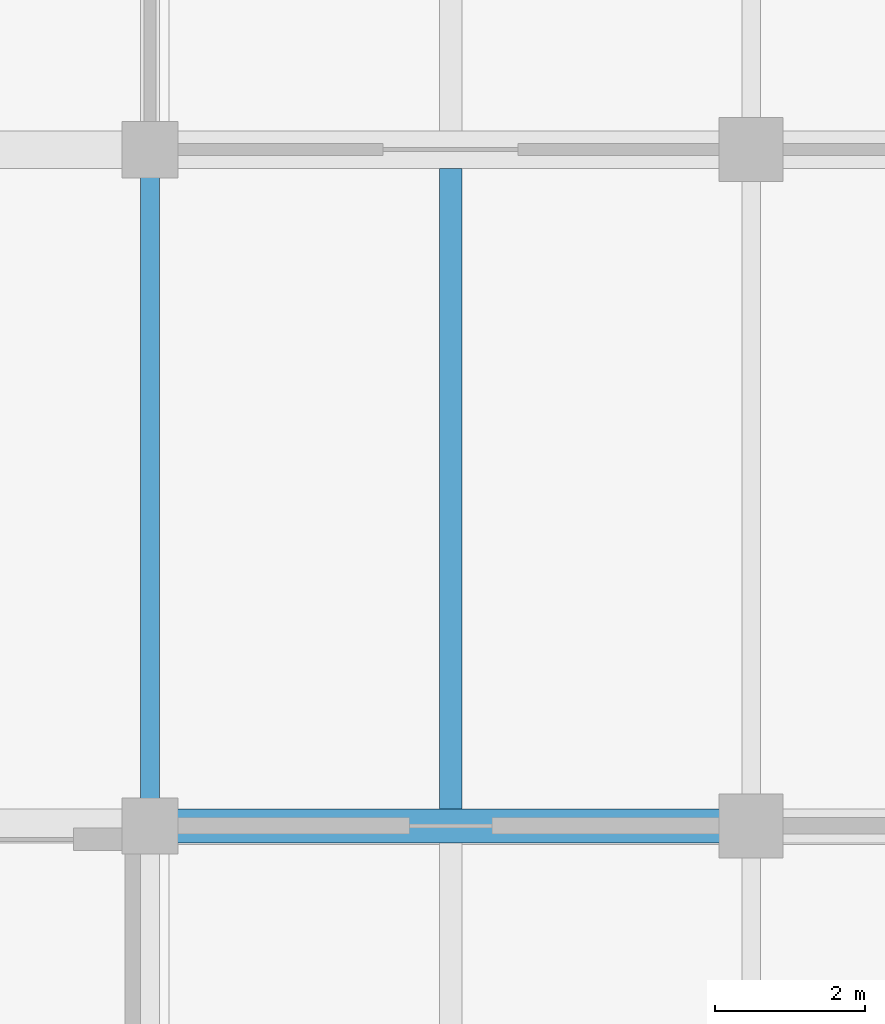
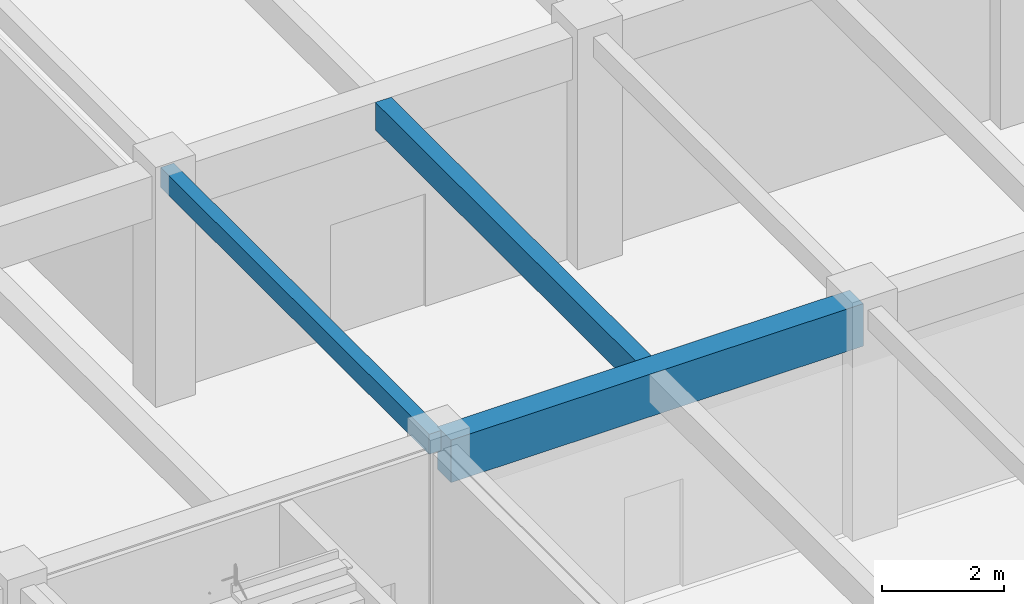
# One storey, part 76 of 144: 3 beams.
"""IFC4 building model written with IfcOpenShell, lengths in metres."""

from ifc_helpers import new_model, si_unit, direction, frame, origin, origin_2d, place, context, subcontext, project, spatial, rectangle, extrude, material, material_profile, profile_set, type_object, element, save


model = new_model("IFC4")

# Units and contexts
model_context = context("Model", 3, precision=1e-05, world=origin(), true_north=direction((0.0, 1.0)))
body_context = subcontext(model_context, "Body", "Model", "MODEL_VIEW")
ifc_project = project(units=[si_unit("LENGTHUNIT", "METRE"), si_unit("AREAUNIT", "SQUARE_METRE"), si_unit("VOLUMEUNIT", "CUBIC_METRE"), si_unit("PLANEANGLEUNIT", "RADIAN"), si_unit("MASSUNIT", "GRAM", prefix="KILO")], contexts=[model_context])

# Site, building, storey
site_placement = place(None, origin())
site = spatial("IfcSite", under=ifc_project, at=site_placement, CompositionType="ELEMENT")
building_placement = place(site_placement, origin())
building = spatial("IfcBuilding", under=site, at=building_placement, Name="Varnabhumi Central Station", CompositionType="ELEMENT")
storey_placement = place(building_placement, frame((0.0, 0.0, 4.800048828125)))
storey = spatial("IfcBuildingStorey", under=building, at=storey_placement, Name="L01", CompositionType="ELEMENT", Elevation=4.800048828125)

# Beams
ifc_material_1 = material(Name="Concrete M35", Category="concrete")
ifc_material_profile_1 = material_profile(ifc_material_1, rectangle(XDim=0.25, YDim=0.39990234375, at=origin_2d()), Name="Concrete M35", Category="concrete")
ifc_profile_set_1 = profile_set([ifc_material_profile_1], Name="Concrete M35")
beam_type_1 = type_object("IfcBeamType", Name="BM-RC-250x400", PredefinedType="LINTEL", material=ifc_profile_set_1)
beam_1_placement = place(storey_placement, frame((152.0, 9.10009765625, 4.349853515625), z_axis=(0.0, 1.0, 0.0), x_axis=(-1.0, 0.0, 0.0)))
element("IfcBeam", 1, at=beam_1_placement, inside=storey, type_object=beam_type_1, Name="Beam L01-20:B-C", PredefinedType="LINTEL", context=body_context, shape_type="SweptSolid", body=[
    extrude(rectangle(XDim=0.25, YDim=0.39990234375, at=origin_2d()), origin(), (0.0, 0.0, 1.0), 8.7998046875),
])
ifc_material_2 = material(Name="Concrete M40", Category="concrete")
ifc_material_profile_2 = material_profile(ifc_material_2, rectangle(XDim=0.300048828125, YDim=0.550048828125, at=origin_2d()), Name="Concrete M40", Category="concrete")
ifc_profile_set_2 = profile_set([ifc_material_profile_2], Name="Concrete M40")
beam_type_2 = type_object("IfcBeamType", Name="BM-RC-300x550", PredefinedType="JOIST", material=ifc_profile_set_2)
beam_2_placement = place(storey_placement, frame((156.0, 9.22509765625, 4.27490234375), z_axis=(0.0, 1.0, 0.0), x_axis=(-1.0, 0.0, 0.0)))
element("IfcBeam", 2, at=beam_2_placement, inside=storey, type_object=beam_type_2, Name="Secondary Joist L01-20/21:B-C", PredefinedType="JOIST", context=body_context, shape_type="SweptSolid", body=[
    extrude(rectangle(XDim=0.300048828125, YDim=0.550048828125, at=origin_2d()), origin(), (0.0, 0.0, 1.0), 8.52490234375),
])
ifc_material_profile_3 = material_profile(ifc_material_2, rectangle(XDim=0.449951171875, YDim=0.85009765625, at=origin_2d()), Name="Concrete M40", Category="concrete")
ifc_profile_set_3 = profile_set([ifc_material_profile_3], Name="Concrete M40")
beam_type_3 = type_object("IfcBeamType", Name="BM-RC-450x850", PredefinedType="BEAM", material=ifc_profile_set_3)
beam_3_placement = place(storey_placement, frame((152.10009765625, 9.0, 4.125), z_axis=(1.0, 0.0, 0.0), x_axis=(0.0, 1.0, 0.0)))
element("IfcBeam", 3, at=beam_3_placement, inside=storey, type_object=beam_type_3, Name="Beam L01-B:20-21", PredefinedType="BEAM", context=body_context, shape_type="SweptSolid", body=[
    extrude(rectangle(XDim=0.449951171875, YDim=0.85009765625, at=origin_2d()), origin(), (0.0, 0.0, 1.0), 7.7998046875),
])

save(model, "model.ifc")
